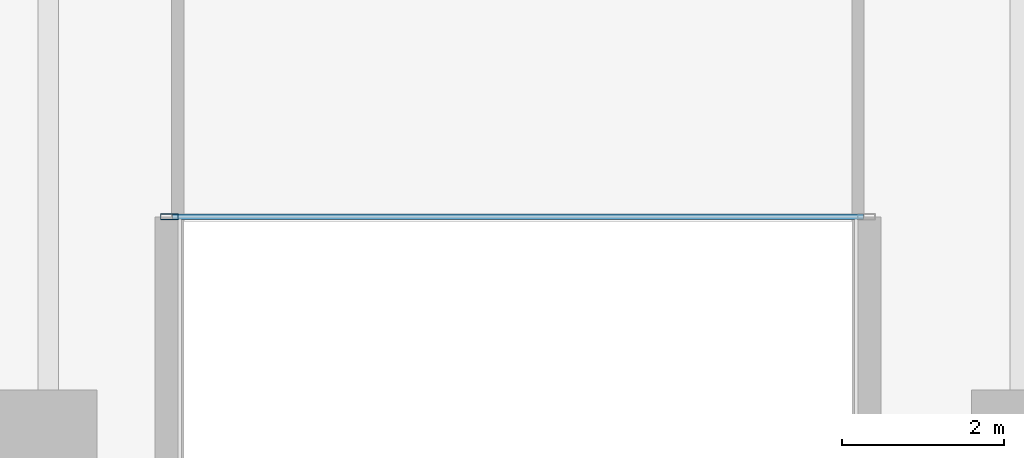
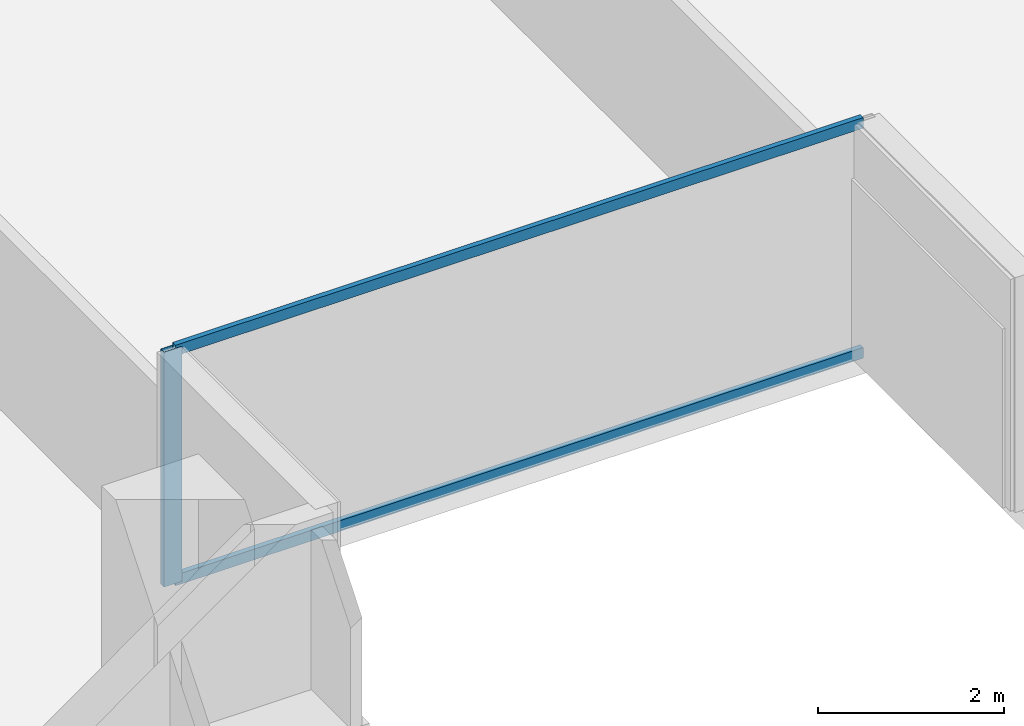
# One storey, part 2 of 25: 3 members, 1 element without a shape of its own.
"""IFC4 building model written with IfcOpenShell, lengths in metres."""

from ifc_helpers import new_model, si_unit, direction, frame, origin, origin_2d, place, context, subcontext, project, spatial, hollow_rectangle, extrude, material, layer, layer_set, material_profile, profile_set, type_object, element, aggregate, save


model = new_model("IFC4")

# Units and contexts
model_context = context("Model", 3, precision=1e-05, world=origin(), true_north=direction((0.0, 1.0)))
body_context = subcontext(model_context, "Body", "Model", "MODEL_VIEW")
ifc_project = project(units=[si_unit("LENGTHUNIT", "METRE"), si_unit("AREAUNIT", "SQUARE_METRE"), si_unit("VOLUMEUNIT", "CUBIC_METRE"), si_unit("PLANEANGLEUNIT", "RADIAN"), si_unit("MASSUNIT", "GRAM", prefix="KILO")], contexts=[model_context])

# Site, building, storey
site_placement = place(None, origin())
site = spatial("IfcSite", under=ifc_project, at=site_placement, CompositionType="ELEMENT")
building_placement = place(site_placement, origin())
building = spatial("IfcBuilding", under=site, at=building_placement, Name="Tanjung Sevakor Pilgrim Tower", CompositionType="ELEMENT")
storey_placement = place(building_placement, frame((0.0, 0.0, 42.239990234375)))
storey = spatial("IfcBuildingStorey", under=building, at=storey_placement, Name="L11", CompositionType="ELEMENT", Elevation=42.239990234375)

# Curtain wall, members
ifc_material_1 = material(Name="Aluminium 6063-T6 and Low-E Glass", Category="aluminium")
ifc_layer = layer(ifc_material_1, 0.179931640625)
ifc_layer_set = layer_set([ifc_layer], Name="CW-SYS-CLEFT")
curtain_wall_type = type_object("IfcCurtainWallType", Name="CW-SYS-CLEFT", PredefinedType="NOTDEFINED", material=ifc_layer_set)
curtain_wall_placement = place(storey_placement, origin())
curtain_wall = element("IfcCurtainWall", 1, at=curtain_wall_placement, inside=storey, type_object=curtain_wall_type, Name="L11 Curtain Wall CW-CLF-L11-2", PredefinedType="NOTDEFINED")
ifc_material_2 = material(Name="Aluminium 6063-T6", Category="aluminium")
ifc_material_profile_1 = material_profile(ifc_material_2, hollow_rectangle(XDim=0.074951171875, YDim=0.219970703125, WallThickness=0.0048828125, at=origin_2d()))
ifc_profile_set_1 = profile_set([ifc_material_profile_1], Name="Aluminium 6063-T6")
member_type_1 = type_object("IfcMemberType", Name="TYPE-CWM-2", PredefinedType="MULLION", material=ifc_profile_set_1)
member_1_placement = place(storey_placement, frame((43.49755859375, 11.139892578125, 0.0), z_axis=(0.0, 0.0, 1.0), x_axis=(0.0, 1.0, 0.0)))
member_1 = element("IfcMember", 2, at=member_1_placement, type_object=member_type_1, Name="CW-CLF mullion 1", PredefinedType="MULLION", context=body_context, shape_type="SweptSolid", body=[
    extrude(hollow_rectangle(XDim=0.074951171875, YDim=0.219970703125, WallThickness=0.0048828125, at=origin_2d()), origin(), (0.0, 0.0, 1.0), 3.080078125),
])
ifc_material_3 = material(Name="Aluminium 6063-T6", Category="aluminium")
ifc_material_profile_2 = material_profile(ifc_material_3, hollow_rectangle(XDim=0.06494140625, YDim=0.139892578125, WallThickness=0.00390625, at=origin_2d()))
ifc_profile_set_2 = profile_set([ifc_material_profile_2], Name="Aluminium 6063-T6")
member_type_2 = type_object("IfcMemberType", Name="TYPE-CWT-1", PredefinedType="USERDEFINED", material=ifc_profile_set_2)
member_2_placement = place(storey_placement, frame((43.534912109375, 11.139892578125, 0.032470703125), z_axis=(1.0, 0.0, 0.0), x_axis=(0.0, 1.0, 0.0)))
member_2 = element("IfcMember", 3, at=member_2_placement, type_object=member_type_2, Name="CW-CLF transom 1.1", ObjectType="TRANSOM", PredefinedType="USERDEFINED", context=body_context, shape_type="SweptSolid", body=[
    extrude(hollow_rectangle(XDim=0.06494140625, YDim=0.139892578125, WallThickness=0.00390625, at=origin_2d()), origin(), (0.0, 0.0, 1.0), 8.530029296875),
])
member_3_placement = place(storey_placement, frame((43.534912109375, 11.139892578125, 3.047607421875), z_axis=(1.0, 0.0, 0.0), x_axis=(0.0, 1.0, 0.0)))
member_3 = element("IfcMember", 4, at=member_3_placement, type_object=member_type_2, Name="CW-CLF transom 1.2", ObjectType="TRANSOM", PredefinedType="USERDEFINED", context=body_context, shape_type="SweptSolid", body=[
    extrude(hollow_rectangle(XDim=0.06494140625, YDim=0.139892578125, WallThickness=0.00390625, at=origin_2d()), origin(), (0.0, 0.0, 1.0), 8.530029296875),
])
aggregate(curtain_wall, [member_1, member_2, member_3])

save(model, "model.ifc")
